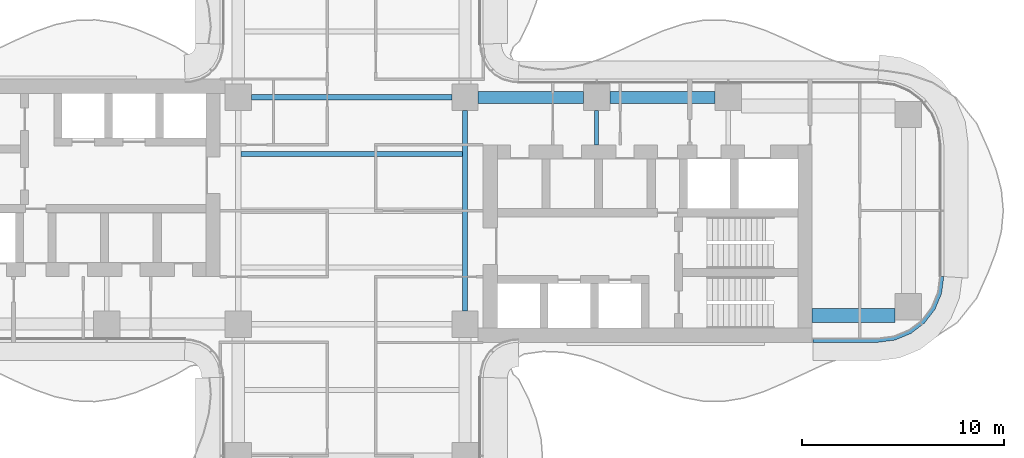
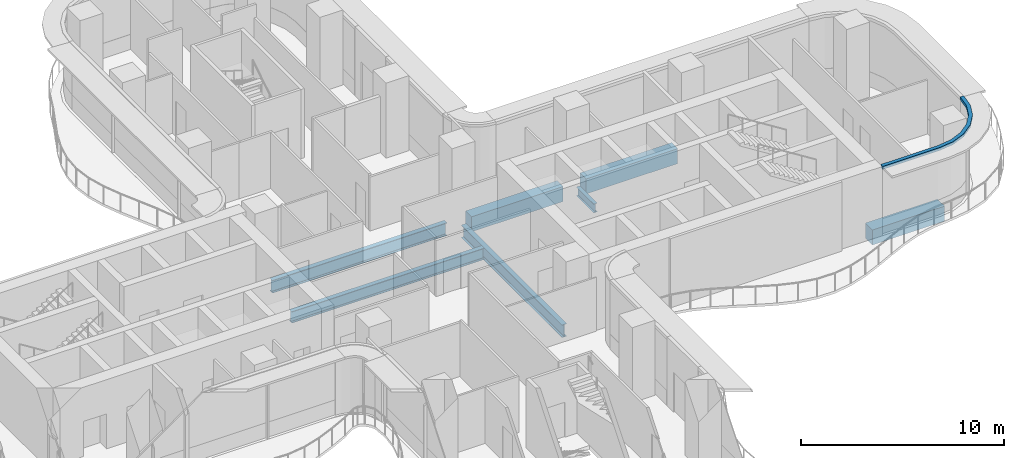
# One storey, part 6 of 20: 7 beams, 1 member, 1 element without a shape of its own.
"""IFC4 building model written with IfcOpenShell, lengths in metres."""

from ifc_helpers import new_model, si_unit, direction, frame, origin, origin_2d, place, context, subcontext, project, spatial, polyline, rectangle, i_section, outline, extrude, source, transform, mapped, material, layer, layer_set, material_profile, profile_set, type_object, element, aggregate, save


model = new_model("IFC4")

# Units and contexts
model_context = context("Model", 3, precision=1e-05, world=origin(), true_north=direction((0.0, 1.0)))
body_context = subcontext(model_context, "Body", "Model", "MODEL_VIEW")
ifc_project = project(units=[si_unit("LENGTHUNIT", "METRE"), si_unit("AREAUNIT", "SQUARE_METRE"), si_unit("VOLUMEUNIT", "CUBIC_METRE"), si_unit("PLANEANGLEUNIT", "RADIAN"), si_unit("MASSUNIT", "GRAM", prefix="KILO")], contexts=[model_context])

# Site, building, storey
site_placement = place(None, origin())
site = spatial("IfcSite", under=ifc_project, at=site_placement, CompositionType="ELEMENT")
building_placement = place(site_placement, origin())
building = spatial("IfcBuilding", under=site, at=building_placement, Name="Trellis Farm Tower", CompositionType="ELEMENT")
storey_placement = place(building_placement, frame((0.0, 0.0, 151.5)))
storey = spatial("IfcBuildingStorey", under=building, at=storey_placement, Name="L32", CompositionType="ELEMENT", Elevation=151.5)

# Beams
ifc_material_1 = material(Name="Steel S355", Category="steel")
ifc_material_profile_1 = material_profile(ifc_material_1, i_section(OverallWidth=0.253662109375, OverallDepth=0.68359375, WebThickness=0.012451171875, FlangeThickness=0.021728515625, FilletRadius=0.01513671875, at=origin_2d()), Name="UB 686x254x140")
ifc_profile_set_1 = profile_set([ifc_material_profile_1], Name="Steel S355")
beam_type_1 = type_object("IfcBeamType", Name="UB 686x254x140 joist", PredefinedType="JOIST", material=ifc_profile_set_1)
shared_shape_1 = source(origin(), body_context, "Body", "SweptSolid", [
    extrude(i_section(OverallWidth=0.253662109375, OverallDepth=0.68359375, WebThickness=0.012451171875, FlangeThickness=0.021728515625, FilletRadius=0.01513671875, at=origin_2d()), origin(), (0.0, 0.0, 1.0), 10.93310546875),
])
beam_1_placement = place(storey_placement, frame((-5.466552734375, 2.800048828125, -0.591796875), z_axis=(1.0, 0.0, 0.0), x_axis=(0.0, 1.0, 0.0)))
element("IfcBeam", 1, at=beam_1_placement, inside=storey, type_object=beam_type_1, Name="Floor beam", PredefinedType="JOIST", context=body_context, shape_type="MappedRepresentation", body=[
    mapped(shared_shape_1, transform((0.0, 0.0, 0.0))),
])
ifc_material_profile_2 = material_profile(ifc_material_1, i_section(OverallWidth=0.2666015625, OverallDepth=0.76220703125, WebThickness=0.014404296875, FlangeThickness=0.021484375, FilletRadius=0.0166015625, at=origin_2d()), Name="UB 762x267x173")
ifc_profile_set_2 = profile_set([ifc_material_profile_2], Name="Steel S355")
beam_type_2 = type_object("IfcBeamType", Name="UB 762x267x173", PredefinedType="BEAM", material=ifc_profile_set_2)
shared_shape_2 = source(origin(), body_context, "Body", "SweptSolid", [
    extrude(i_section(OverallWidth=0.2666015625, OverallDepth=0.76220703125, WebThickness=0.014404296875, FlangeThickness=0.021484375, FilletRadius=0.0166015625, at=origin_2d()), origin(), (0.0, 0.0, 1.0), 9.89990234375),
])
for number, where, z_axis, x_axis, name in (
    (2, (-4.949951171875, 5.60009765625, -0.631103515625), (1.0, 0.0, 0.0), (0.0, 1.0, 0.0), "Girder"),
    (3, (5.60009765625, -4.949951171875, -0.631103515625), (0.0, 1.0, 0.0), (-1.0, 0.0, 0.0), "Girder"),
):
    element("IfcBeam", number, at=place(storey_placement, frame(where, z_axis=z_axis, x_axis=x_axis)), inside=storey, type_object=beam_type_2, Name=name, PredefinedType="BEAM", context=body_context, shape_type="MappedRepresentation", body=[
        mapped(shared_shape_2, transform((0.0, 0.0, 0.0))),
    ])
ifc_material_profile_3 = material_profile(ifc_material_1, i_section(OverallWidth=0.209228515625, OverallDepth=0.533203125, WebThickness=0.010009765625, FlangeThickness=0.015625, FilletRadius=0.0126953125, at=origin_2d()), Name="UB 533x210x92")
ifc_profile_set_3 = profile_set([ifc_material_profile_3], Name="Steel S355")
beam_type_3 = type_object("IfcBeamType", Name="UB 533x210x92", PredefinedType="BEAM", material=ifc_profile_set_3)
shared_shape_3 = source(origin(), body_context, "Body", "SweptSolid", [
    extrude(i_section(OverallWidth=0.209228515625, OverallDepth=0.533203125, WebThickness=0.010009765625, FlangeThickness=0.015625, FilletRadius=0.0126953125, at=origin_2d()), origin(), (0.0, 0.0, 1.0), 1.699951171875),
])
beam_2_placement = place(storey_placement, frame((12.10009765625, 3.25, -0.5166015625), z_axis=(0.0, 1.0, 0.0), x_axis=(-1.0, 0.0, 0.0)))
element("IfcBeam", 4, at=beam_2_placement, inside=storey, type_object=beam_type_3, Name="Girder", PredefinedType="BEAM", context=body_context, shape_type="MappedRepresentation", body=[
    mapped(shared_shape_3, transform((0.0, 0.0, 0.0))),
])
ifc_material_2 = material(Name="Concrete C60/75", Category="concrete")
ifc_material_profile_4 = material_profile(ifc_material_2, rectangle(XDim=0.60009765625, YDim=0.89990234375, at=origin_2d()), Name="RC spandrel beam 600x900 C60/75")
ifc_profile_set_4 = profile_set([ifc_material_profile_4], Name="Concrete C60/75")
beam_type_4 = type_object("IfcBeamType", Name="RC spandrel beam 600x900 C60/75", PredefinedType="SPANDREL", material=ifc_profile_set_4)
shared_shape_4 = source(origin(), body_context, "Body", "SweptSolid", [
    extrude(rectangle(XDim=0.60009765625, YDim=0.89990234375, at=origin_2d()), origin(), (0.0, 0.0, 1.0), 5.199951171875),
])
for number, where, z_axis, x_axis, name in (
    (5, (6.25, 5.60009765625, -0.699951171875), (1.0, 0.0, 0.0), (0.0, 1.0, 0.0), "Girder"),
    (6, (12.75, 5.60009765625, -0.699951171875), (1.0, 0.0, 0.0), (0.0, 1.0, 0.0), "Girder"),
):
    element("IfcBeam", number, at=place(storey_placement, frame(where, z_axis=z_axis, x_axis=x_axis)), inside=storey, type_object=beam_type_4, Name=name, PredefinedType="SPANDREL", context=body_context, shape_type="MappedRepresentation", body=[
        mapped(shared_shape_4, transform((0.0, 0.0, 0.0))),
    ])
ifc_material_profile_5 = material_profile(ifc_material_2, rectangle(XDim=0.699951171875, YDim=0.89990234375, at=origin_2d()), Name="RC spandrel beam 700x900 C60/75")
ifc_profile_set_5 = profile_set([ifc_material_profile_5], Name="Concrete C60/75")
beam_type_5 = type_object("IfcBeamType", Name="RC spandrel beam 700x900 C60/75", PredefinedType="SPANDREL", material=ifc_profile_set_5)
shared_shape_5 = source(origin(), body_context, "Body", "SweptSolid", [
    extrude(rectangle(XDim=0.699951171875, YDim=0.89990234375, at=origin_2d()), origin(), (0.0, 0.0, 1.0), 4.10009765625),
])
beam_3_placement = place(storey_placement, frame((22.75, -5.175048828125, -0.699951171875), z_axis=(1.0, 0.0, 0.0), x_axis=(0.0, 1.0, 0.0)))
element("IfcBeam", 7, at=beam_3_placement, inside=storey, type_object=beam_type_5, Name="Girder", PredefinedType="SPANDREL", context=body_context, shape_type="MappedRepresentation", body=[
    mapped(shared_shape_5, transform((0.0, 0.0, 0.0))),
])

# Curtain wall, member
ifc_material_3 = material(Name="Aluminium and glass curtain wall", Category="aluminium")
ifc_layer_1 = layer(ifc_material_3, 0.18994140625)
ifc_layer_set_1 = layer_set([ifc_layer_1], Name="RIBBON CURTAIN WALL CW1")
curtain_wall_type = type_object("IfcCurtainWallType", Name="RIBBON CURTAIN WALL CW1", PredefinedType="NOTDEFINED", material=ifc_layer_set_1)
curtain_wall_placement = place(storey_placement, origin())
curtain_wall = element("IfcCurtainWall", 8, at=curtain_wall_placement, inside=storey, type_object=curtain_wall_type, Name="CW1 006", PredefinedType="NOTDEFINED")
ifc_material_4 = material(Name="Aluminium extrusion 6063-T6", Category="aluminium")
ifc_layer_2 = layer(ifc_material_4, 0.199951171875)
ifc_layer_set_2 = layer_set([ifc_layer_2], Name="Aluminium extrusion 6063-T6")
member_type = type_object("IfcMemberType", Name="CW1 TRANSOM 200x180", PredefinedType="USERDEFINED", material=ifc_layer_set_2)
shared_shape_6 = source(origin(), body_context, "Body", "SweptSolid", [
    extrude(outline(polyline([(22.780029296875, -6.5), (26.0, -6.5), (26.841064453125, -6.38916015625), (27.625, -6.064697265625), (28.298095703125, -5.548095703125), (28.814697265625, -4.875), (29.13916015625, -4.091064453125), (29.25, -3.25), (29.050048828125, -3.23681640625), (28.9443359375, -4.0390625), (28.639892578125, -4.774169921875), (28.155517578125, -5.405517578125), (27.524169921875, -5.889892578125), (26.7890625, -6.1943359375), (25.98681640625, -6.300048828125), (22.780029296875, -6.300048828125), (22.780029296875, -6.5)])), origin(), (0.0, 0.0, 1.0), 0.179931640625),
])
member_placement = place(storey_placement, frame((0.0, 0.0, 3.969970703125)))
member = element("IfcMember", 9, at=member_placement, type_object=member_type, Name="TR1 006", ObjectType="TRANSOM", PredefinedType="USERDEFINED", context=body_context, shape_type="MappedRepresentation", body=[
    mapped(shared_shape_6, transform((0.0, 0.0, 0.0))),
])
aggregate(curtain_wall, [member])

save(model, "model.ifc")
